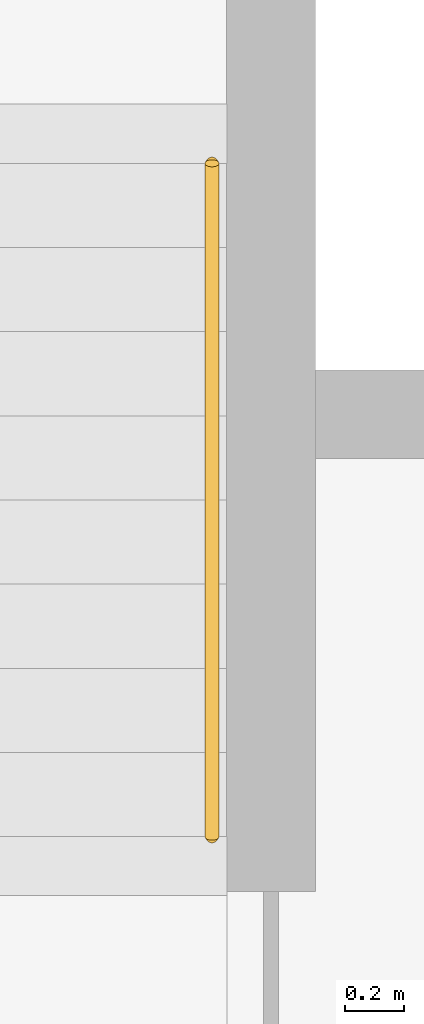
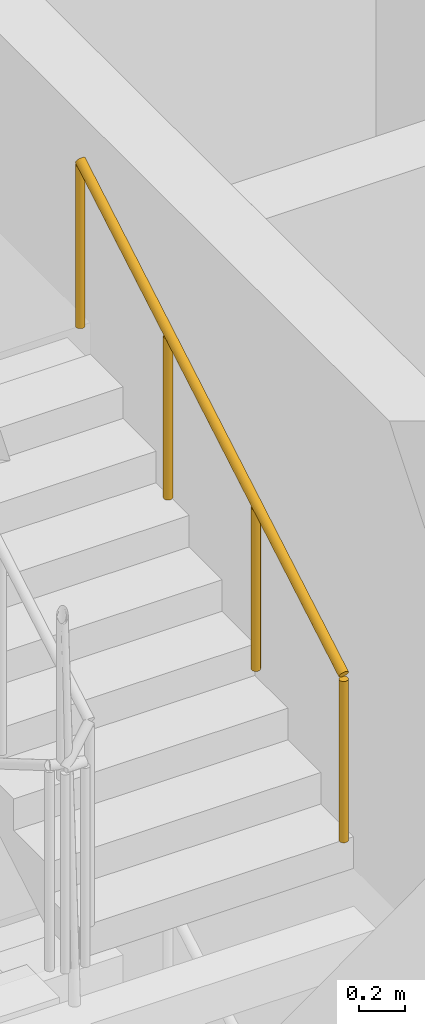
# One storey, part 20 of 21: 1 railing.
"""IFC4 building model written with IfcOpenShell, lengths in metres."""

from ifc_helpers import new_model, si_unit, direction, frame, origin, origin_2d, place, context, subcontext, project, spatial, circle, extrude, material, type_object, element, save


model = new_model("IFC4")

# Units and contexts
model_context = context("Model", 3, precision=1e-05, world=origin(), true_north=direction((0.0, 1.0)))
body_context = subcontext(model_context, "Body", "Model", "MODEL_VIEW")
ifc_project = project(units=[si_unit("LENGTHUNIT", "METRE"), si_unit("AREAUNIT", "SQUARE_METRE"), si_unit("VOLUMEUNIT", "CUBIC_METRE"), si_unit("PLANEANGLEUNIT", "RADIAN"), si_unit("MASSUNIT", "GRAM", prefix="KILO")], contexts=[model_context])

# Site, building, storey
site_placement = place(None, origin())
site = spatial("IfcSite", under=ifc_project, at=site_placement, CompositionType="ELEMENT")
building_placement = place(site_placement, origin())
building = spatial("IfcBuilding", under=site, at=building_placement, Name="Firuza Gate Tower and Library", CompositionType="ELEMENT")
storey_placement = place(building_placement, frame((0.0, 0.0, 140.800048828125)))
storey = spatial("IfcBuildingStorey", under=building, at=storey_placement, Name="L32", CompositionType="ELEMENT", Elevation=140.800048828125)

# Railing
ifc_material = material(Name="Steel S355", Category="steel")
railing_type = type_object("IfcRailingType", Name="Stair handrail 900", PredefinedType="HANDRAIL", material=ifc_material)
railing_placement = place(storey_placement, frame((74.949951171875, 89.469970703125, 3.16650390625)))
element("IfcRailing", 1, at=railing_placement, inside=storey, type_object=railing_type, Name="L32 ST3 stair handrail 3", PredefinedType="HANDRAIL", context=body_context, shape_type="SweptSolid", body=[
    extrude(circle(Radius=0.02392578125, at=origin_2d()), frame((0.0, 0.0, 0.8759765625), z_axis=(0.0, 0.863205083432, 0.504853428173), x_axis=(-1.0, 0.0, 0.0)), (0.0, 0.0, 1.0), 2.641357421875),
    extrude(circle(Radius=0.02099609375, at=origin_2d()), origin(), (0.0, 0.0, 1.0), 0.851806640625),
    extrude(circle(Radius=0.02099609375, at=origin_2d()), frame((0.0, 0.760009765625, 0.444580078125)), (0.0, 0.0, 1.0), 0.851806640625),
    extrude(circle(Radius=0.02099609375, at=origin_2d()), frame((0.0, 1.52001953125, 0.888916015625)), (0.0, 0.0, 1.0), 0.851806640625),
    extrude(circle(Radius=0.02099609375, at=origin_2d()), frame((0.0, 2.280029296875, 1.33349609375)), (0.0, 0.0, 1.0), 0.851806640625),
])

save(model, "model.ifc")
